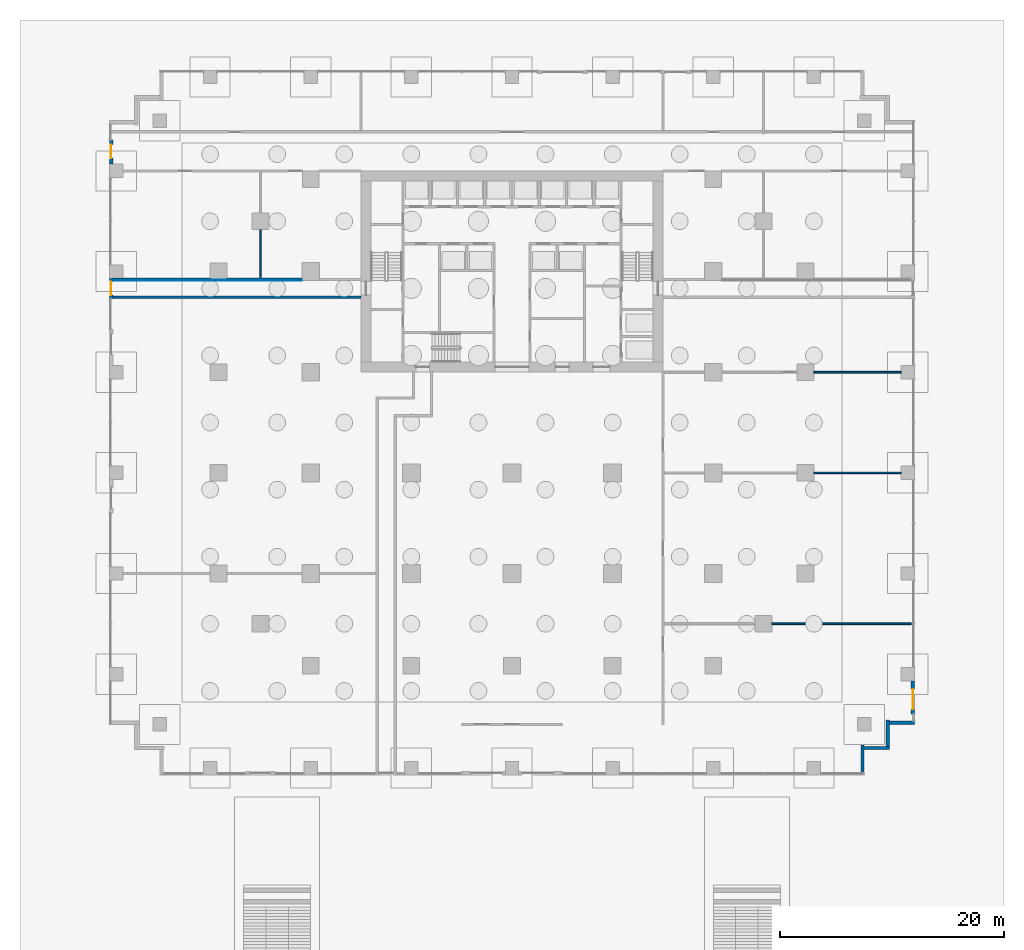
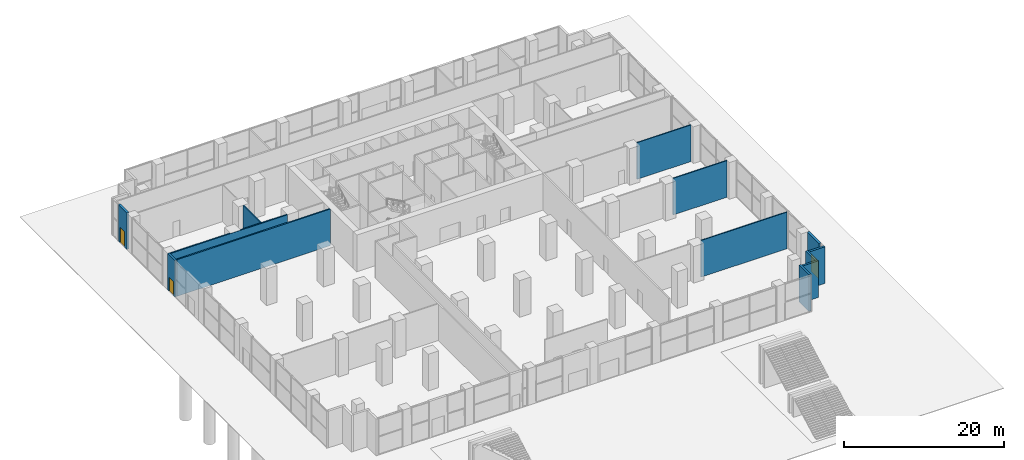
# One storey, part 15 of 20: 15 walls, 3 doors, 3 openings.
"""IFC4 building model written with IfcOpenShell, lengths in metres."""

from ifc_helpers import new_model, si_unit, direction, frame, frame_2d, origin, place, context, subcontext, project, spatial, rectangle, extrude, material, layer, layer_set, type_object, element, fill, save


model = new_model("IFC4")

# Units and contexts
model_context = context("Model", 3, precision=1e-05, world=origin(), true_north=direction((0.0, 1.0)))
body_context = subcontext(model_context, "Body", "Model", "MODEL_VIEW")
ifc_project = project(units=[si_unit("LENGTHUNIT", "METRE"), si_unit("AREAUNIT", "SQUARE_METRE"), si_unit("VOLUMEUNIT", "CUBIC_METRE"), si_unit("PLANEANGLEUNIT", "RADIAN"), si_unit("MASSUNIT", "GRAM", prefix="KILO")], contexts=[model_context])

# Site, building, storey
site_placement = place(None, origin())
site = spatial("IfcSite", under=ifc_project, at=site_placement, CompositionType="ELEMENT")
building_placement = place(site_placement, origin())
building = spatial("IfcBuilding", under=site, at=building_placement, Name="Orbiselva Terraces", CompositionType="ELEMENT")
storey_placement = place(building_placement, origin())
storey = spatial("IfcBuildingStorey", under=building, at=storey_placement, Name="L00", CompositionType="ELEMENT", Elevation=0.0)

# Walls
ifc_material_1 = material(Name="Masonry blockwork", Category="masonry")
ifc_layer_1 = layer(ifc_material_1, 0.15)
ifc_layer_set_1 = layer_set([ifc_layer_1], Name="Masonry blockwork")
wall_type_1 = type_object("IfcWallType", Name="CORE-WALL-PARTITION-150-EI120", PredefinedType="PARTITIONING", material=ifc_layer_set_1)
wall_1_placement = place(storey_placement, frame((-35.7, 12.825, 0.0), z_axis=(0.0, 0.0, 1.0), x_axis=(1.0, 0.0, 0.0)))
element("IfcWall", 1, at=wall_1_placement, inside=storey, type_object=wall_type_1, Name="EXIT PASSAGE S1 wall 3", PredefinedType="PARTITIONING", context=body_context, shape_type="SweptSolid", body=[
    extrude(rectangle(XDim=8.7, YDim=0.15, at=frame_2d((4.35, 0.0))), origin(), (0.0, 0.0, 1.0), 5.6),
])
wall_2_placement = place(storey_placement, frame((-25.5, 12.825, 0.0), z_axis=(0.0, 0.0, 1.0), x_axis=(1.0, 0.0, 0.0)))
element("IfcWall", 2, at=wall_2_placement, inside=storey, type_object=wall_type_1, Name="EXIT PASSAGE S1 wall 4", PredefinedType="PARTITIONING", context=body_context, shape_type="SweptSolid", body=[
    extrude(rectangle(XDim=6.7, YDim=0.15, at=frame_2d((3.35, 0.0))), origin(), (0.0, 0.0, 1.0), 5.6),
])
ifc_layer_2 = layer(ifc_material_1, 0.2)
ifc_layer_set_2 = layer_set([ifc_layer_2], Name="Masonry blockwork")
wall_type_2 = type_object("IfcWallType", Name="CORE-WALL-PARTITION-200-EI120", PredefinedType="PARTITIONING", material=ifc_layer_set_2)
wall_3_placement = place(storey_placement, frame((-35.7, 11.2, 0.0), z_axis=(0.0, 0.0, 1.0), x_axis=(1.0, 0.0, 0.0)))
element("IfcWall", 3, at=wall_3_placement, inside=storey, type_object=wall_type_2, Name="EXIT PASSAGE S1 wall 1", PredefinedType="PARTITIONING", context=body_context, shape_type="SweptSolid", body=[
    extrude(rectangle(XDim=22.2, YDim=0.2, at=frame_2d((11.1, 0.0))), origin(), (0.0, 0.0, 1.0), 5.6),
])

# Wall, opening, door
ifc_layer_3 = layer(ifc_material_1, 0.3)
ifc_layer_set_3 = layer_set([ifc_layer_3], Name="Masonry blockwork")
wall_type_3 = type_object("IfcWallType", Name="CORE-WALL-PARTITION-300-EI120", PredefinedType="PARTITIONING", material=ifc_layer_set_3)
wall_4_placement = place(storey_placement, frame((-35.85, 11.1, 0.0), z_axis=(0.0, 0.0, 1.0), x_axis=(0.0, 1.0, 0.0)))
wall_4 = element("IfcWall", 4, at=wall_4_placement, inside=storey, type_object=wall_type_3, Name="EXIT PASSAGE S1 end wall", PredefinedType="PARTITIONING", context=body_context, shape_type="SweptSolid", body=[
    extrude(rectangle(XDim=1.8, YDim=0.3, at=frame_2d((0.9, 0.0))), origin(), (0.0, 0.0, 1.0), 5.6),
])
opening_1_placement = place(wall_4_placement, frame((0.3, 0.0, 0.0)))
opening_1 = element("IfcOpeningElement", 5, at=opening_1_placement, cuts=wall_4, Name="Opening CX1", PredefinedType="OPENING", context=body_context, shape_type="SweptSolid", body=[
    extrude(rectangle(XDim=1.2, YDim=2.2, at=frame_2d((0.6, 1.1))), frame((0.0, 0.16, 0.0), z_axis=(0.0, -1.0, 0.0), x_axis=(1.0, 0.0, 0.0)), (0.0, 0.0, 1.0), 0.32),
])
ifc_material_2 = material(Name="Steel fire door", Category="steel")
door_type_1 = type_object("IfcDoorType", Name="STAIR DOOR 1200", OperationType="NOTDEFINED", PredefinedType="DOOR", material=ifc_material_2)
door_1_placement = place(opening_1_placement, origin())
door_1 = element("IfcDoor", 6, at=door_1_placement, inside=storey, type_object=door_type_1, Name="EXIT PASSAGE S1 final exit door", OperationType="SINGLE_SWING_LEFT", OverallHeight=2.2, OverallWidth=1.2, PredefinedType="DOOR", context=body_context, shape_type="SweptSolid", body=[
    extrude(rectangle(XDim=1.2, YDim=2.2, at=frame_2d((0.6, 1.1))), frame((0.0, 0.025, 0.0), z_axis=(0.0, -1.0, 0.0), x_axis=(1.0, 0.0, 0.0)), (0.0, 0.0, 1.0), 0.05),
])
fill(opening_1, door_1)

# Walls
ifc_layer_4 = layer(ifc_material_1, 0.05)
ifc_layer_set_4 = layer_set([ifc_layer_4], Name="Masonry blockwork")
wall_type_4 = type_object("IfcWallType", Name="CORE-WALL-PARTITION-50-EI120", PredefinedType="PARTITIONING", material=ifc_layer_set_4)
wall_5_placement = place(storey_placement, frame((-35.7, 12.725, 0.0), z_axis=(0.0, 0.0, 1.0), x_axis=(1.0, 0.0, 0.0)))
element("IfcWall", 7, at=wall_5_placement, inside=storey, type_object=wall_type_4, Name="EXIT PASSAGE S1 wall 2", PredefinedType="PARTITIONING", context=body_context, shape_type="SweptSolid", body=[
    extrude(rectangle(XDim=16.9, YDim=0.05, at=frame_2d((8.45, 0.0))), origin(), (0.0, 0.0, 1.0), 5.6),
])
ifc_material_3 = material(Name="Terracotta cladding on masonry backing", Category="masonry")
ifc_layer_5 = layer(ifc_material_3, 0.3)
ifc_layer_set_5 = layer_set([ifc_layer_5], Name="Terracotta cladding on masonry backing")
wall_type_5 = type_object("IfcWallType", Name="ENV-WALL-TERRACOTTA-300", PredefinedType="SOLIDWALL", material=ifc_layer_set_5)
wall_6_placement = place(storey_placement, frame((31.35, -28.85, 0.0), z_axis=(0.0, 0.0, 1.0), x_axis=(0.0, -1.0, 0.0)))
element("IfcWall", 8, at=wall_6_placement, inside=storey, type_object=wall_type_5, Name="Facade wall L00 STEP", PredefinedType="SOLIDWALL", context=body_context, shape_type="SweptSolid", body=[
    extrude(rectangle(XDim=2.45, YDim=0.3, at=frame_2d((1.225, 0.0))), origin(), (0.0, 0.0, 1.0), 5.6),
])
wall_7_placement = place(storey_placement, frame((33.75, -29.1, 0.0), z_axis=(0.0, 0.0, 1.0), x_axis=(-1.0, 0.0, 0.0)))
element("IfcWall", 9, at=wall_7_placement, inside=storey, type_object=wall_type_5, Name="Facade wall L00 STEP", PredefinedType="SOLIDWALL", context=body_context, shape_type="SweptSolid", body=[
    extrude(rectangle(XDim=2.25, YDim=0.3, at=frame_2d((1.125, 0.0))), origin(), (0.0, 0.0, 1.0), 5.6),
])
wall_8_placement = place(storey_placement, frame((33.6, -26.6, 0.0), z_axis=(0.0, 0.0, 1.0), x_axis=(0.0, -1.0, 0.0)))
element("IfcWall", 10, at=wall_8_placement, inside=storey, type_object=wall_type_5, Name="Facade wall L00 STEP", PredefinedType="SOLIDWALL", context=body_context, shape_type="SweptSolid", body=[
    extrude(rectangle(XDim=2.35, YDim=0.3, at=frame_2d((1.175, 0.0))), origin(), (0.0, 0.0, 1.0), 5.6),
])
wall_9_placement = place(storey_placement, frame((36.0, -26.85, 0.0), z_axis=(0.0, 0.0, 1.0), x_axis=(-1.0, 0.0, 0.0)))
element("IfcWall", 11, at=wall_9_placement, inside=storey, type_object=wall_type_5, Name="Facade wall L00 STEP", PredefinedType="SOLIDWALL", context=body_context, shape_type="SweptSolid", body=[
    extrude(rectangle(XDim=2.25, YDim=0.3, at=frame_2d((1.125, 0.0))), origin(), (0.0, 0.0, 1.0), 5.6),
])

# Wall, opening, door
wall_10_placement = place(storey_placement, frame((35.85, -23.1, 0.0), z_axis=(0.0, 0.0, 1.0), x_axis=(0.0, -1.0, 0.0)))
wall_10 = element("IfcWall", 12, at=wall_10_placement, inside=storey, type_object=wall_type_5, Name="Facade wall L00 E", PredefinedType="SOLIDWALL", context=body_context, shape_type="SweptSolid", body=[
    extrude(rectangle(XDim=2.95, YDim=0.3, at=frame_2d((1.475, 0.0))), origin(), (0.0, 0.0, 1.0), 5.6),
])
opening_2_placement = place(wall_10_placement, frame((0.75, 0.0, 0.0)))
opening_2 = element("IfcOpeningElement", 13, at=opening_2_placement, cuts=wall_10, Name="Opening PODIUM-GROUND-E04", PredefinedType="OPENING", context=body_context, shape_type="SweptSolid", body=[
    extrude(rectangle(XDim=1.8, YDim=2.7, at=frame_2d((0.9, 1.35))), frame((0.0, 0.16, 0.0), z_axis=(0.0, -1.0, 0.0), x_axis=(1.0, 0.0, 0.0)), (0.0, 0.0, 1.0), 0.32),
])
ifc_material_4 = material(Name="Clear low-e glazing in aluminium frame", Category="aluminium")
door_type_2 = type_object("IfcDoorType", Name="SHOP DOOR 1800 X 2700", OperationType="DOUBLE_DOOR_DOUBLE_SWING", PredefinedType="DOOR", material=ifc_material_4)
door_2_placement = place(opening_2_placement, origin())
door_2 = element("IfcDoor", 14, at=door_2_placement, inside=storey, type_object=door_type_2, Name="PODIUM-GROUND-E04", OperationType="SINGLE_SWING_LEFT", OverallHeight=2.7, OverallWidth=1.8, PredefinedType="DOOR", context=body_context, shape_type="SweptSolid", body=[
    extrude(rectangle(XDim=1.8, YDim=2.7, at=frame_2d((0.9, 1.35))), frame((0.0, 0.025, 0.0), z_axis=(0.0, -1.0, 0.0), x_axis=(1.0, 0.0, 0.0)), (0.0, 0.0, 1.0), 0.05),
])
fill(opening_2, door_2)

wall_11_placement = place(storey_placement, frame((-35.85, 23.1, 0.0), z_axis=(0.0, 0.0, 1.0), x_axis=(0.0, 1.0, 0.0)))
wall_11 = element("IfcWall", 15, at=wall_11_placement, inside=storey, type_object=wall_type_5, Name="Facade wall L00 W", PredefinedType="SOLIDWALL", context=body_context, shape_type="SweptSolid", body=[
    extrude(rectangle(XDim=2.15, YDim=0.3, at=frame_2d((1.075, 0.0))), origin(), (0.0, 0.0, 1.0), 5.6),
])
opening_3_placement = place(wall_11_placement, frame((0.55, 0.0, 0.0)))
opening_3 = element("IfcOpeningElement", 16, at=opening_3_placement, cuts=wall_11, Name="Opening PODIUM-GROUND-E09", PredefinedType="OPENING", context=body_context, shape_type="SweptSolid", body=[
    extrude(rectangle(XDim=1.2, YDim=2.4, at=frame_2d((0.6, 1.2))), frame((0.0, 0.16, 0.0), z_axis=(0.0, -1.0, 0.0), x_axis=(1.0, 0.0, 0.0)), (0.0, 0.0, 1.0), 0.32),
])
door_type_3 = type_object("IfcDoorType", Name="EXIT DOOR 1200 X 2400", OperationType="SINGLE_SWING_RIGHT", PredefinedType="DOOR", material=ifc_material_4)
door_3_placement = place(opening_3_placement, origin())
door_3 = element("IfcDoor", 17, at=door_3_placement, inside=storey, type_object=door_type_3, Name="PODIUM-GROUND-E09", OperationType="SINGLE_SWING_LEFT", OverallHeight=2.4, OverallWidth=1.2, PredefinedType="DOOR", context=body_context, shape_type="SweptSolid", body=[
    extrude(rectangle(XDim=1.2, YDim=2.4, at=frame_2d((0.6, 1.2))), frame((0.0, 0.025, 0.0), z_axis=(0.0, -1.0, 0.0), x_axis=(1.0, 0.0, 0.0)), (0.0, 0.0, 1.0), 0.05),
])
fill(opening_3, door_3)

# Walls
ifc_material_5 = material(Name="Plasterboard on steel stud partition", Category="steel")
ifc_layer_6 = layer(ifc_material_5, 0.15)
ifc_layer_set_6 = layer_set([ifc_layer_6], Name="Plasterboard on steel stud partition")
wall_type_6 = type_object("IfcWallType", Name="UNIT-PARTITION-150", PredefinedType="PARTITIONING", material=ifc_layer_set_6)
wall_12_placement = place(storey_placement, frame((23.25, -18.0, 0.0), z_axis=(0.0, 0.0, 1.0), x_axis=(1.0, 0.0, 0.0)))
element("IfcWall", 18, at=wall_12_placement, inside=storey, type_object=wall_type_6, Name="PARTITION L00-003", PredefinedType="PARTITIONING", context=body_context, shape_type="SweptSolid", body=[
    extrude(rectangle(XDim=12.45, YDim=0.15, at=frame_2d((6.225, 0.0))), origin(), (0.0, 0.0, 1.0), 5.6),
])
for number, where, z_axis, x_axis, name in (
    (19, (27.0, -4.5, 0.0), (0.0, 0.0, 1.0), (1.0, 0.0, 0.0), "PARTITION L00-009"),
    (20, (27.0, 4.5, 0.0), (0.0, 0.0, 1.0), (1.0, 0.0, 0.0), "PARTITION L00-012"),
):
    element("IfcWall", number, at=place(storey_placement, frame(where, z_axis=z_axis, x_axis=x_axis)), inside=storey, type_object=wall_type_6, Name=name, PredefinedType="PARTITIONING", context=body_context, shape_type="SweptSolid", body=[
        extrude(rectangle(XDim=7.8, YDim=0.15, at=frame_2d((3.9, 0.0))), origin(), (0.0, 0.0, 1.0), 5.6),
    ])
wall_13_placement = place(storey_placement, frame((-22.5, 12.9, 0.0), z_axis=(0.0, 0.0, 1.0), x_axis=(0.0, 1.0, 0.0)))
element("IfcWall", 21, at=wall_13_placement, inside=storey, type_object=wall_type_6, Name="PARTITION L00-019", PredefinedType="PARTITIONING", context=body_context, shape_type="SweptSolid", body=[
    extrude(rectangle(XDim=4.35, YDim=0.15, at=frame_2d((2.175, 0.0))), origin(), (0.0, 0.0, 1.0), 5.6),
])

save(model, "model.ifc")
